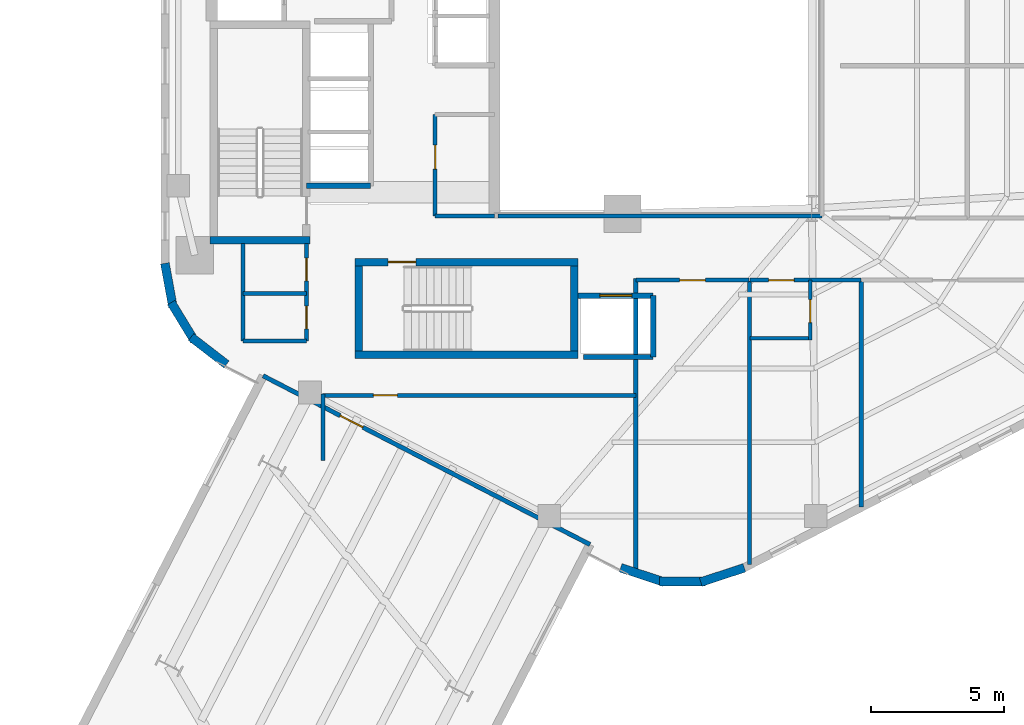
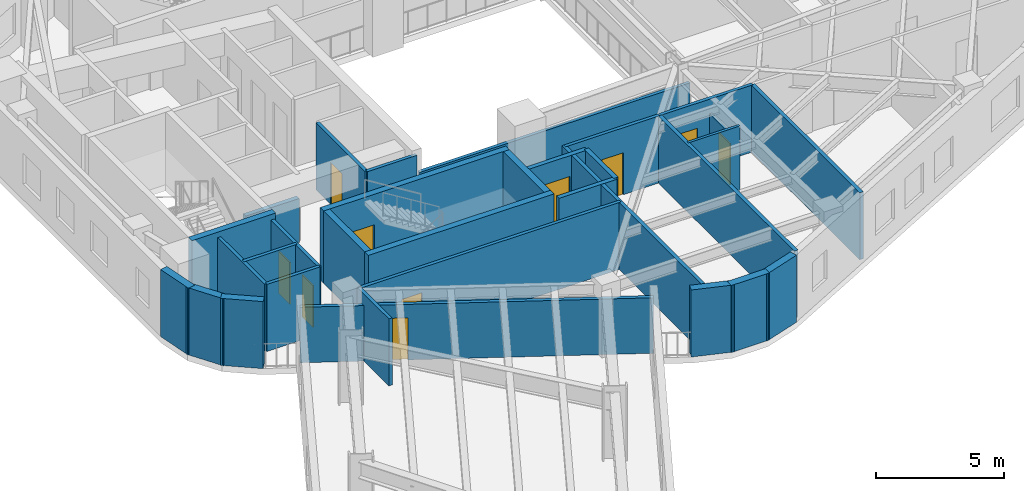
# One storey, part 5 of 10: 32 walls, 10 doors, 10 openings.
"""IFC4 building model written with IfcOpenShell, lengths in metres."""

import ifcopenshell
import ifcopenshell.guid

model = None  # the IFC model being written
_history = None  # IfcOwnerHistory: only IFC2X3 demands one
_inside = {}  # id of a spatial element -> (the spatial element, [elements in it])
_under = {}  # id of a project, library or spatial element -> (it, [spatial elements below it])
_declared = {}  # id of a project -> (the project, [libraries it declares])
_typed = {}  # id of a type object -> (the type object, [elements of that type])
_made_of = {}  # id of a material, layer set ... -> (it, [elements and type objects made of it])


def new_model(schema):
    """Start an empty IFC model of exactly this schema.

    Asked for "IFC4X3", IfcOpenShell would pick the latest addendum, in which some entities
    have other attributes; the version numbers below select the first issue.
    IFC2X3 requires an IfcOwnerHistory on every rooted entity: one is made here for all.
    """
    global model, _history
    if schema == "IFC4X3":
        model = ifcopenshell.file(schema_version=(4, 3, 0, 0))
    else:
        model = ifcopenshell.file(schema=schema)
    _inside.clear()
    _under.clear()
    _declared.clear()
    _typed.clear()
    _made_of.clear()
    _history = None
    if model.schema == "IFC2X3":
        org = make("IfcOrganization", Name="unknown")
        user = make(
            "IfcPersonAndOrganization",
            ThePerson=make("IfcPerson", FamilyName="unknown"),
            TheOrganization=org,
        )
        app = make(
            "IfcApplication",
            ApplicationDeveloper=org,
            Version="unknown",
            ApplicationFullName="unknown",
            ApplicationIdentifier="unknown",
        )
        _history = make(
            "IfcOwnerHistory",
            OwningUser=user,
            OwningApplication=app,
            ChangeAction="ADDED",
            CreationDate=0,
        )
    return model


def make(cls, **values):
    """One entity of the class cls with the attributes given. An attribute that is None is left unset."""
    return model.create_entity(
        cls, **{name: value for name, value in values.items() if value is not None}
    )


def rooted(cls, **values):
    """An entity with a GlobalId (a new one), such as an element, a storey or a relation."""
    return make(cls, GlobalId=ifcopenshell.guid.new(), OwnerHistory=_history, **values)


def si_unit(unit_type, name, prefix=None):
    """IfcSIUnit, for example si_unit("LENGTHUNIT", "METRE", prefix="MILLI")."""
    return make("IfcSIUnit", UnitType=unit_type, Prefix=prefix, Name=name)


def assignment(units):
    """IfcUnitAssignment: the units of a project."""
    return None if units is None else make("IfcUnitAssignment", Units=units)


def point(xyz):
    """IfcCartesianPoint."""
    return None if xyz is None else make("IfcCartesianPoint", Coordinates=xyz)


def direction(xyz):
    """IfcDirection."""
    return None if xyz is None else make("IfcDirection", DirectionRatios=xyz)


def frame(location, z_axis=None, x_axis=None):
    """IfcAxis2Placement3D, a coordinate frame: its origin and axes. An axis left out is left unset."""
    return make(
        "IfcAxis2Placement3D",
        Location=point(location),
        Axis=direction(z_axis),
        RefDirection=direction(x_axis),
    )


def frame_2d(location, x_axis=None):
    """IfcAxis2Placement2D, a coordinate frame in the plane: its origin and x axis."""
    return make(
        "IfcAxis2Placement2D", Location=point(location), RefDirection=direction(x_axis)
    )


def origin():
    """The frame at (0, 0, 0) with its axes left unset."""
    return frame((0.0, 0.0, 0.0))


def place(relative_to, where):
    """IfcLocalPlacement: puts the frame where relative to a parent placement (None: the world)."""
    return make(
        "IfcLocalPlacement", PlacementRelTo=relative_to, RelativePlacement=where
    )


def context(
    kind, dimensions, precision=None, world=None, true_north=None, identifier=None
):
    """IfcGeometricRepresentationContext, for example the 3D "Model" context."""
    return make(
        "IfcGeometricRepresentationContext",
        ContextIdentifier=identifier,
        ContextType=kind,
        CoordinateSpaceDimension=dimensions,
        Precision=precision,
        WorldCoordinateSystem=world,
        TrueNorth=true_north,
    )


def subcontext(parent, identifier, kind, view, scale=None):
    """IfcGeometricRepresentationSubContext, for example "Body" below "Model"."""
    return make(
        "IfcGeometricRepresentationSubContext",
        ContextIdentifier=identifier,
        ContextType=kind,
        ParentContext=parent,
        TargetScale=scale,
        TargetView=view,
    )


def project(units=None, contexts=None):
    """IfcProject with its units and contexts."""
    return rooted(
        "IfcProject",
        Name="project",
        RepresentationContexts=contexts,
        UnitsInContext=assignment(units),
    )


def spatial(cls, under=None, at=None, **own):
    """A site, building, storey or space (cls), placed at a placement, below another one or the project."""
    s = rooted(cls, ObjectPlacement=at, **own)
    if under is not None:
        _under.setdefault(under.id(), (under, []))[1].append(s)
    return s


def profile(cls, at=None, kind="AREA", **sizes):
    """A parametric profile (cls). Its sizes go by their IFC names, for example OverallWidth=200.0."""
    return make(cls, ProfileType=kind, Position=at, **sizes)


def rectangle(**sizes):
    """IfcRectangleProfileDef."""
    return profile("IfcRectangleProfileDef", **sizes)


def extrude(swept, where, along, depth):
    """IfcExtrudedAreaSolid: the profile swept, set in the frame where, extruded along a direction by depth."""
    return make(
        "IfcExtrudedAreaSolid",
        SweptArea=swept,
        Position=where,
        ExtrudedDirection=direction(along),
        Depth=depth,
    )


def shape(context_of_items, identifier, shape_type, items):
    """IfcShapeRepresentation: the items that make up one representation, for example the "Body"."""
    return make(
        "IfcShapeRepresentation",
        ContextOfItems=context_of_items,
        RepresentationIdentifier=identifier,
        RepresentationType=shape_type,
        Items=items,
    )


def material(Name=None, Category=None):
    """IfcMaterial."""
    return make("IfcMaterial", Name=Name, Category=Category)


def layer(
    of_material, thickness, ventilated=None, Name=None, Category=None, Priority=None
):
    """IfcMaterialLayer: one layer of a wall or slab, of a material (None: an air gap)."""
    return make(
        "IfcMaterialLayer",
        Material=of_material,
        LayerThickness=thickness,
        IsVentilated=ventilated,
        Name=Name,
        Category=Category,
        Priority=Priority,
    )


def layer_set(layers, Name=None):
    """IfcMaterialLayerSet."""
    return make("IfcMaterialLayerSet", MaterialLayers=layers, LayerSetName=Name)


def made_of(thing, what):
    """Note that an element or type object is made of a material, layer set ...; save() writes the relation."""
    if what is not None:
        _made_of.setdefault(what.id(), (what, []))[1].append(thing)
    return thing


def type_object(cls, material=None, **own):
    """A type object (cls), such as IfcWallType, which elements share."""
    return made_of(rooted(cls, **own), material)


def element(
    cls,
    number,
    at=None,
    inside=None,
    cuts=None,
    type_object=None,
    material=None,
    context=None,
    identifier="Body",
    shape_type=None,
    held_by="IfcProductDefinitionShape",
    body=None,
    shapes=None,
    **own,
):
    """One element of the class cls, such as IfcWall. Its Tag is "e" and its number.

    at: its placement. inside: the storey or other place that contains it. cuts: it is an
    opening in that element (IfcRelVoidsElement). A single representation is given by context,
    identifier, shape_type and body (its items); several are given by shapes. held_by: the class
    of the entity that holds the representations. save() writes the other relations.
    """
    e = rooted(cls, Tag="e%d" % number, ObjectPlacement=at, **own)
    if body is not None:
        shapes = [shape(context, identifier, shape_type, body)]
    if shapes is not None:
        e.Representation = make(held_by, Representations=shapes)
    if inside is not None:
        _inside.setdefault(inside.id(), (inside, []))[1].append(e)
    if cuts is not None:
        rooted(
            "IfcRelVoidsElement", RelatingBuildingElement=cuts, RelatedOpeningElement=e
        )
    if type_object is not None:
        _typed.setdefault(type_object.id(), (type_object, []))[1].append(e)
    return made_of(e, material)


def fill(opening, filler):
    """IfcRelFillsElement: the door or window that sits in an opening."""
    return rooted(
        "IfcRelFillsElement",
        RelatingOpeningElement=opening,
        RelatedBuildingElement=filler,
    )


def aggregate(whole, parts):
    """IfcRelAggregates: a whole, such as a stair, and the parts it consists of."""
    return rooted("IfcRelAggregates", RelatingObject=whole, RelatedObjects=parts)


def save(model, path):
    """Write the relations noted so far, then the file.

    IfcRelAggregates (storeys below a building ...), IfcRelContainedInSpatialStructure (elements
    in a storey), IfcRelDefinesByType, IfcRelAssociatesMaterial and IfcRelDeclares: one each for
    every whole, place, type object, material and project.
    """
    for whole, parts in _under.values():
        aggregate(whole, parts)
    for where, things in _inside.values():
        rooted(
            "IfcRelContainedInSpatialStructure",
            RelatedElements=things,
            RelatingStructure=where,
        )
    for kind, things in _typed.values():
        rooted("IfcRelDefinesByType", RelatedObjects=things, RelatingType=kind)
    for what, things in _made_of.values():
        rooted("IfcRelAssociatesMaterial", RelatedObjects=things, RelatingMaterial=what)
    for by, libraries in _declared.values():
        rooted("IfcRelDeclares", RelatingContext=by, RelatedDefinitions=libraries)
    model.write(path)


model = new_model("IFC4")

# Units and contexts
model_context = context("Model", 3, precision=1e-05, world=origin(), true_north=direction((0.0, 1.0)))
body_context = subcontext(model_context, "Body", "Model", "MODEL_VIEW")
ifc_project = project(units=[si_unit("LENGTHUNIT", "METRE"), si_unit("AREAUNIT", "SQUARE_METRE"), si_unit("VOLUMEUNIT", "CUBIC_METRE"), si_unit("PLANEANGLEUNIT", "RADIAN"), si_unit("MASSUNIT", "GRAM", prefix="KILO"), si_unit("THERMODYNAMICTEMPERATUREUNIT", "KELVIN"), si_unit("POWERUNIT", "WATT")], contexts=[model_context])

# Site, building, storey
site_placement = place(None, origin())
site = spatial("IfcSite", under=ifc_project, at=site_placement, CompositionType="ELEMENT")
building_placement = place(site_placement, origin())
building = spatial("IfcBuilding", under=site, at=building_placement, Name="Skarre Station Tower", CompositionType="ELEMENT")
storey_placement = place(building_placement, frame((0.0, 0.0, 180.89990234375)))
storey = spatial("IfcBuildingStorey", under=building, at=storey_placement, Name="L49", CompositionType="ELEMENT", Elevation=180.89990234375)

# Wall, opening, door
ifc_material_1 = material(Name="Acoustic Steel-Stud Gypsum Partition", Category="steel")
ifc_layer_1 = layer(ifc_material_1, 0.14990234375, Name="Acoustic Steel-Stud Gypsum Partition")
ifc_layer_set_1 = layer_set([ifc_layer_1], Name="Acoustic Steel-Stud Gypsum Partition")
wall_type_1 = type_object("IfcWallType", Name="Fire-Rated Corridor Acoustic Partition 150", PredefinedType="PARTITIONING", material=ifc_layer_set_1)
wall_1_placement = place(storey_placement, frame((25.320068359375, 22.179931640625, 0.0), z_axis=(0.0, 0.0, 1.0), x_axis=(0.0, -1.0, 0.0)))
wall_1 = element("IfcWall", 1, at=wall_1_placement, inside=storey, type_object=wall_type_1, Name="L49 Interior Partition WL-PT-L49-RC1-W", PredefinedType="PARTITIONING", context=body_context, shape_type="SweptSolid", body=[
    extrude(rectangle(XDim=3.81982421875, YDim=0.14990234375, at=frame_2d((1.909912109375, 0.0))), origin(), (0.0, 0.0, 1.0), 3.190185546875),
])
opening_1_placement = place(wall_1_placement, frame((1.14990234375, 0.0, 0.0)))
opening_1 = element("IfcOpeningElement", 2, at=opening_1_placement, cuts=wall_1, Name="Opening DR-SVC90", PredefinedType="OPENING", context=body_context, shape_type="SweptSolid", body=[
    extrude(rectangle(XDim=0.89990234375, YDim=2.0, at=frame_2d((0.449951171875, 1.0))), frame((0.0, 0.0849609375, 0.0), z_axis=(0.0, -1.0, 0.0), x_axis=(1.0, 0.0, 0.0)), (0.0, 0.0, 1.0), 0.169921875),
])
ifc_material_2 = material(Name="Powder-Coated Hollow-Metal Acoustic Fire Leaf", Category="steel")
door_type_1 = type_object("IfcDoorType", Name="Service & Riser Fire Door FD60 900x2100", OperationType="SINGLE_SWING_LEFT", PredefinedType="DOOR", material=ifc_material_2)
door_1_placement = place(opening_1_placement, origin())
door_1 = element("IfcDoor", 3, at=door_1_placement, inside=storey, type_object=door_type_1, Name="L49 Staff Pantry Door", OperationType="SINGLE_SWING_LEFT", OverallHeight=2.0, OverallWidth=0.89990234375, PredefinedType="DOOR", context=body_context, shape_type="SweptSolid", body=[
    extrude(rectangle(XDim=0.89990234375, YDim=2.0, at=frame_2d((0.449951171875, 1.0))), frame((0.0, 0.02490234375, 0.0), z_axis=(0.0, -1.0, 0.0), x_axis=(1.0, 0.0, 0.0)), (0.0, 0.0, 1.0), 0.050048828125),
])
fill(opening_1, door_1)

# Walls
wall_2_placement = place(storey_placement, frame((25.320068359375, 18.360107421875, 0.0), z_axis=(0.0, 0.0, 1.0), x_axis=(1.0, 0.0, 0.0)))
element("IfcWall", 4, at=wall_2_placement, inside=storey, type_object=wall_type_1, Name="L49 Interior Partition WL-PT-L49-RC1-S", PredefinedType="PARTITIONING", context=body_context, shape_type="SweptSolid", body=[
    extrude(rectangle(XDim=2.22998046875, YDim=0.14990234375, at=frame_2d((1.114990234375, 0.0))), origin(), (0.0, 0.0, 1.0), 3.190185546875),
])
wall_3_placement = place(storey_placement, frame((18.10009765625, 17.340087890625, 0.0), z_axis=(0.0, 0.0, 1.0), x_axis=(0.0, -1.0, 0.0)))
element("IfcWall", 5, at=wall_3_placement, inside=storey, type_object=wall_type_1, Name="L49 Interior Partition WL-PT-L49-CSVC-W", PredefinedType="PARTITIONING", context=body_context, shape_type="SweptSolid", body=[
    extrude(rectangle(XDim=3.66015625, YDim=0.14990234375, at=frame_2d((1.830078125, 0.0))), origin(), (0.0, 0.0, 1.0), 3.190185546875),
])
for number, where, z_axis, x_axis, name in (
    (6, (18.10009765625, 13.679931640625, 0.0), (0.0, 0.0, 1.0), (1.0, 0.0, 0.0), "L49 Interior Partition WL-PT-L49-CSVC-S"),
    (7, (18.10009765625, 15.4599609375, 0.0), (0.0, 0.0, 1.0), (1.0, 0.0, 0.0), "L49 Interior Partition WL-PT-L49-CSVC-M"),
):
    element("IfcWall", number, at=place(storey_placement, frame(where, z_axis=z_axis, x_axis=x_axis)), inside=storey, type_object=wall_type_1, Name=name, PredefinedType="PARTITIONING", context=body_context, shape_type="SweptSolid", body=[
        extrude(rectangle(XDim=2.389892578125, YDim=0.14990234375, at=frame_2d((1.19482421875, 0.0))), origin(), (0.0, 0.0, 1.0), 3.190185546875),
    ])

# Wall, openings, doors
wall_4_placement = place(storey_placement, frame((20.489990234375, 13.679931640625, 0.0), z_axis=(0.0, 0.0, 1.0), x_axis=(0.0, 1.0, 0.0)))
wall_4 = element("IfcWall", 8, at=wall_4_placement, inside=storey, type_object=wall_type_1, Name="L49 Interior Partition WL-PT-L49-CSVC-E", PredefinedType="PARTITIONING", context=body_context, shape_type="SweptSolid", body=[
    extrude(rectangle(XDim=3.66015625, YDim=0.14990234375, at=frame_2d((1.830078125, 0.0))), origin(), (0.0, 0.0, 1.0), 3.190185546875),
])
opening_2_placement = place(wall_4_placement, frame((0.449951171875, 0.0, 0.0)))
opening_2 = element("IfcOpeningElement", 9, at=opening_2_placement, cuts=wall_4, Name="Opening DR-SVC86", PredefinedType="OPENING", context=body_context, shape_type="SweptSolid", body=[
    extrude(rectangle(XDim=0.860107421875, YDim=2.0, at=frame_2d((0.43017578125, 1.0))), frame((0.0, 0.0849609375, 0.0), z_axis=(0.0, -1.0, 0.0), x_axis=(1.0, 0.0, 0.0)), (0.0, 0.0, 1.0), 0.169921875),
])
opening_3_placement = place(wall_4_placement, frame((2.25, 0.0, 0.0)))
opening_3 = element("IfcOpeningElement", 10, at=opening_3_placement, cuts=wall_4, Name="Opening DR-SVC86", PredefinedType="OPENING", context=body_context, shape_type="SweptSolid", body=[
    extrude(rectangle(XDim=0.860107421875, YDim=2.0, at=frame_2d((0.43017578125, 1.0))), frame((0.0, 0.0849609375, 0.0), z_axis=(0.0, -1.0, 0.0), x_axis=(1.0, 0.0, 0.0)), (0.0, 0.0, 1.0), 0.169921875),
])
door_type_2 = type_object("IfcDoorType", Name="Compact Riser Fire Door FD60 860x2100", OperationType="SINGLE_SWING_LEFT", PredefinedType="DOOR", material=ifc_material_2)
door_2_placement = place(opening_2_placement, origin())
door_2 = element("IfcDoor", 11, at=door_2_placement, inside=storey, type_object=door_type_2, Name="L49 Vending Room Door", OperationType="SINGLE_SWING_LEFT", OverallHeight=2.0, OverallWidth=0.860107421875, PredefinedType="DOOR", context=body_context, shape_type="SweptSolid", body=[
    extrude(rectangle(XDim=0.860107421875, YDim=2.0, at=frame_2d((0.43017578125, 1.0))), frame((0.0, 0.02490234375, 0.0), z_axis=(0.0, -1.0, 0.0), x_axis=(1.0, 0.0, 0.0)), (0.0, 0.0, 1.0), 0.050048828125),
])
fill(opening_2, door_2)
door_3_placement = place(opening_3_placement, origin())
door_3 = element("IfcDoor", 12, at=door_3_placement, inside=storey, type_object=door_type_2, Name="L49 Linen Storage Door", OperationType="SINGLE_SWING_LEFT", OverallHeight=2.0, OverallWidth=0.860107421875, PredefinedType="DOOR", context=body_context, shape_type="SweptSolid", body=[
    extrude(rectangle(XDim=0.860107421875, YDim=2.0, at=frame_2d((0.43017578125, 1.0))), frame((0.0, 0.02490234375, 0.0), z_axis=(0.0, -1.0, 0.0), x_axis=(1.0, 0.0, 0.0)), (0.0, 0.0, 1.0), 0.050048828125),
])
fill(opening_3, door_3)

# Walls
wall_5_placement = place(storey_placement, frame((27.675048828125, 18.360107421875, 0.0), z_axis=(0.0, 0.0, 1.0), x_axis=(1.0, 0.0, 0.0)))
element("IfcWall", 13, at=wall_5_placement, inside=storey, type_object=wall_type_1, Name="L49 Interior Partition WL-PT-L49-ATRW-S", PredefinedType="PARTITIONING", context=body_context, shape_type="SweptSolid", body=[
    extrude(rectangle(XDim=12.1650390625, YDim=0.14990234375, at=frame_2d((6.08251953125, 0.0))), origin(), (0.0, 0.0, 1.0), 2.3310546875),
])
wall_6_placement = place(storey_placement, frame((21.1201171875, 9.199951171875, 0.0), z_axis=(0.0, 0.0, 1.0), x_axis=(0.0, 1.0, 0.0)))
element("IfcWall", 14, at=wall_6_placement, inside=storey, type_object=wall_type_1, Name="L49 Interior Partition WL-PT-L49-SWP-W4", PredefinedType="PARTITIONING", context=body_context, shape_type="SweptSolid", body=[
    extrude(rectangle(XDim=2.47998046875, YDim=0.14990234375, at=frame_2d((1.239990234375, 0.0))), origin(), (0.0, 0.0, 1.0), 3.190185546875),
])

# Wall, opening, door
wall_7_placement = place(storey_placement, frame((21.10009765625, 11.639892578125, 0.0), z_axis=(0.0, 0.0, 1.0), x_axis=(1.0, 0.0, 0.0)))
wall_7 = element("IfcWall", 15, at=wall_7_placement, inside=storey, type_object=wall_type_1, Name="L49 Interior Partition WL-PT-L49-SWP-N", PredefinedType="PARTITIONING", context=body_context, shape_type="SweptSolid", body=[
    extrude(rectangle(XDim=11.75, YDim=0.14990234375, at=frame_2d((5.875, 0.0))), origin(), (0.0, 0.0, 1.0), 3.190185546875),
])
opening_4_placement = place(wall_7_placement, frame((1.89990234375, 0.0, 0.0)))
opening_4 = element("IfcOpeningElement", 16, at=opening_4_placement, cuts=wall_7, Name="Opening DR-SVC90", PredefinedType="OPENING", context=body_context, shape_type="SweptSolid", body=[
    extrude(rectangle(XDim=0.89990234375, YDim=2.0, at=frame_2d((0.449951171875, 1.0))), frame((0.0, 0.0849609375, 0.0), z_axis=(0.0, -1.0, 0.0), x_axis=(1.0, 0.0, 0.0)), (0.0, 0.0, 1.0), 0.169921875),
])
door_4_placement = place(opening_4_placement, origin())
door_4 = element("IfcDoor", 17, at=door_4_placement, inside=storey, type_object=door_type_1, Name="L49 Floor Public Toilets Door", OperationType="SINGLE_SWING_LEFT", OverallHeight=2.0, OverallWidth=0.89990234375, PredefinedType="DOOR", context=body_context, shape_type="SweptSolid", body=[
    extrude(rectangle(XDim=0.89990234375, YDim=2.0, at=frame_2d((0.449951171875, 1.0))), frame((0.0, 0.02490234375, 0.0), z_axis=(0.0, -1.0, 0.0), x_axis=(1.0, 0.0, 0.0)), (0.0, 0.0, 1.0), 0.050048828125),
])
fill(opening_4, door_4)

wall_8_placement = place(storey_placement, frame((32.85009765625, 15.9599609375, 0.0), z_axis=(0.0, 0.0, 1.0), x_axis=(1.0, 0.0, 0.0)))
wall_8 = element("IfcWall", 18, at=wall_8_placement, inside=storey, type_object=wall_type_1, Name="L49 Interior Partition WL-PT-L49-SW1-CW", PredefinedType="PARTITIONING", context=body_context, shape_type="SweptSolid", body=[
    extrude(rectangle(XDim=4.244873046875, YDim=0.14990234375, at=frame_2d((2.12255859375, 0.0))), origin(), (0.0, 0.0, 1.0), 3.190185546875),
])
opening_5_placement = place(wall_8_placement, frame((1.64306640625, 0.0, 0.0)))
opening_5 = element("IfcOpeningElement", 19, at=opening_5_placement, cuts=wall_8, Name="Opening DR-FD60", PredefinedType="OPENING", context=body_context, shape_type="SweptSolid", body=[
    extrude(rectangle(XDim=0.9599609375, YDim=2.0, at=frame_2d((0.47998046875, 1.0))), frame((0.0, 0.0849609375, 0.0), z_axis=(0.0, -1.0, 0.0), x_axis=(1.0, 0.0, 0.0)), (0.0, 0.0, 1.0), 0.169921875),
])
ifc_material_3 = material(Name="Nordic White-Oak Veneer Solid-Core Fire Leaf", Category="wood")
door_type_3 = type_object("IfcDoorType", Name="Corridor Suite Entry Fire Door FD60 960x2150", OperationType="SINGLE_SWING_LEFT", PredefinedType="DOOR", material=ifc_material_3)
door_5_placement = place(opening_5_placement, origin())
door_5 = element("IfcDoor", 20, at=door_5_placement, inside=storey, type_object=door_type_3, Name="L49 SW1 Entry Door", OperationType="SINGLE_SWING_LEFT", OverallHeight=2.0, OverallWidth=0.9599609375, PredefinedType="DOOR", context=body_context, shape_type="SweptSolid", body=[
    extrude(rectangle(XDim=0.9599609375, YDim=2.0, at=frame_2d((0.47998046875, 1.0))), frame((0.0, 0.02490234375, 0.0), z_axis=(0.0, -1.0, 0.0), x_axis=(1.0, 0.0, 0.0)), (0.0, 0.0, 1.0), 0.050048828125),
])
fill(opening_5, door_5)

wall_9_placement = place(storey_placement, frame((37.131103515625, 15.9599609375, 0.0), z_axis=(0.0, 0.0, 1.0), x_axis=(1.0, 0.0, 0.0)))
wall_9 = element("IfcWall", 21, at=wall_9_placement, inside=storey, type_object=wall_type_1, Name="L49 Interior Partition WL-PT-L49-SW2-CW", PredefinedType="PARTITIONING", context=body_context, shape_type="SweptSolid", body=[
    extrude(rectangle(XDim=4.156005859375, YDim=0.14990234375, at=frame_2d((2.078125, 0.0))), origin(), (0.0, 0.0, 1.0), 3.190185546875),
])
opening_6_placement = place(wall_9_placement, frame((0.697998046875, 0.0, 0.0)))
opening_6 = element("IfcOpeningElement", 22, at=opening_6_placement, cuts=wall_9, Name="Opening DR-FD60", PredefinedType="OPENING", context=body_context, shape_type="SweptSolid", body=[
    extrude(rectangle(XDim=0.9599609375, YDim=2.0, at=frame_2d((0.47998046875, 1.0))), frame((0.0, 0.0849609375, 0.0), z_axis=(0.0, -1.0, 0.0), x_axis=(1.0, 0.0, 0.0)), (0.0, 0.0, 1.0), 0.169921875),
])
door_6_placement = place(opening_6_placement, origin())
door_6 = element("IfcDoor", 23, at=door_6_placement, inside=storey, type_object=door_type_3, Name="L49 SW2 Entry Door", OperationType="SINGLE_SWING_LEFT", OverallHeight=2.0, OverallWidth=0.9599609375, PredefinedType="DOOR", context=body_context, shape_type="SweptSolid", body=[
    extrude(rectangle(XDim=0.9599609375, YDim=2.0, at=frame_2d((0.47998046875, 1.0))), frame((0.0, 0.02490234375, 0.0), z_axis=(0.0, -1.0, 0.0), x_axis=(1.0, 0.0, 0.0)), (0.0, 0.0, 1.0), 0.050048828125),
])
fill(opening_6, door_6)

ifc_material_4 = material(Name="Insulated Timber-Stud Gypsum Partition", Category="wood")
ifc_layer_2 = layer(ifc_material_4, 0.1201171875, Name="Insulated Timber-Stud Gypsum Partition")
ifc_layer_set_2 = layer_set([ifc_layer_2], Name="Insulated Timber-Stud Gypsum Partition")
wall_type_2 = type_object("IfcWallType", Name="Internal Suite Acoustic Partition 120", PredefinedType="PARTITIONING", material=ifc_layer_set_2)
wall_10_placement = place(storey_placement, frame((39.39111328125, 13.719970703125, 0.0), z_axis=(0.0, 0.0, 1.0), x_axis=(0.0, 1.0, 0.0)))
wall_10 = element("IfcWall", 24, at=wall_10_placement, inside=storey, type_object=wall_type_2, Name="L49 Interior Partition WL-PT-L49-SW2-EW2", PredefinedType="PARTITIONING", context=body_context, shape_type="SweptSolid", body=[
    extrude(rectangle(XDim=2.239990234375, YDim=0.1201171875, at=frame_2d((1.1201171875, 0.0))), origin(), (0.0, 0.0, 1.0), 2.4970703125),
])
opening_7_placement = place(wall_10_placement, frame((0.64990234375, 0.0, 0.0)))
opening_7 = element("IfcOpeningElement", 25, at=opening_7_placement, cuts=wall_10, Name="Opening DR-INT86", PredefinedType="OPENING", context=body_context, shape_type="SweptSolid", body=[
    extrude(rectangle(XDim=0.860107421875, YDim=2.0, at=frame_2d((0.43017578125, 1.0))), frame((0.0, 0.070068359375, 0.0), z_axis=(0.0, -1.0, 0.0), x_axis=(1.0, 0.0, 0.0)), (0.0, 0.0, 1.0), 0.14013671875),
])
ifc_material_5 = material(Name="Nordic Birch Acoustic Solid-Core Timber Leaf", Category="wood")
door_type_4 = type_object("IfcDoorType", Name="Internal En-Suite & Bedroom Door 860x2100", OperationType="SINGLE_SWING_LEFT", PredefinedType="DOOR", material=ifc_material_5)
door_7_placement = place(opening_7_placement, origin())
door_7 = element("IfcDoor", 26, at=door_7_placement, inside=storey, type_object=door_type_4, Name="L49 SW2 En-suite Door", OperationType="SINGLE_SWING_RIGHT", OverallHeight=2.0, OverallWidth=0.860107421875, PredefinedType="DOOR", context=body_context, shape_type="SweptSolid", body=[
    extrude(rectangle(XDim=0.860107421875, YDim=2.0, at=frame_2d((0.43017578125, 1.0))), frame((0.0, 0.02490234375, 0.0), z_axis=(0.0, -1.0, 0.0), x_axis=(1.0, 0.0, 0.0)), (0.0, 0.0, 1.0), 0.050048828125),
])
fill(opening_7, door_7)

# Walls
wall_11_placement = place(storey_placement, frame((37.131103515625, 13.780029296875, 0.0), z_axis=(0.0, 0.0, 1.0), x_axis=(1.0, 0.0, 0.0)))
element("IfcWall", 27, at=wall_11_placement, inside=storey, type_object=wall_type_2, Name="L49 Interior Partition WL-PT-L49-SW2-EW1", PredefinedType="PARTITIONING", context=body_context, shape_type="SweptSolid", body=[
    extrude(rectangle(XDim=2.31982421875, YDim=0.1201171875, at=frame_2d((1.159912109375, 0.0))), origin(), (0.0, 0.0, 1.0), 3.190185546875),
])
ifc_material_6 = material(Name="Precast concrete C45/55", Category="concrete")
ifc_layer_3 = layer(ifc_material_6, 0.330078125, Name="Precast concrete C45/55")
ifc_layer_set_3 = layer_set([ifc_layer_3], Name="Precast concrete C45/55")
wall_type_3 = type_object("IfcWallType", Name="Nordic Rounded Corner Precast Wall 330", PredefinedType="STANDARD", material=ifc_layer_set_3)
wall_12_placement = place(storey_placement, frame((17.489013671875, 12.800048828125, 0.0), z_axis=(0.0, 0.0, 1.0), x_axis=(-0.791409877269, 0.611285862884, 0.0)))
element("IfcWall", 28, at=wall_12_placement, inside=storey, type_object=wall_type_3, Name="L49 Rounded Corner Precast Wall F3-1", PredefinedType="STANDARD", context=body_context, shape_type="SweptSolid", body=[
    extrude(rectangle(XDim=1.676513671875, YDim=0.330078125, at=frame_2d((0.83837890625, 0.0))), origin(), (0.0, 0.0, 1.0), 3.190185546875),
])
wall_13_placement = place(storey_placement, frame((16.2880859375, 13.68505859375, 0.0), z_axis=(0.0, 0.0, 1.0), x_axis=(-0.520325409202, 0.853968072318, 0.0)))
element("IfcWall", 29, at=wall_13_placement, inside=storey, type_object=wall_type_3, Name="L49 Rounded Corner Precast Wall F3-2", PredefinedType="STANDARD", context=body_context, shape_type="SweptSolid", body=[
    extrude(rectangle(XDim=1.677978515625, YDim=0.330078125, at=frame_2d((0.8388671875, 0.0))), origin(), (0.0, 0.0, 1.0), 3.190185546875),
])
wall_14_placement = place(storey_placement, frame((15.48193359375, 14.943115234375, 0.0), z_axis=(0.0, 0.0, 1.0), x_axis=(-0.180717642671, 0.983535019014, 0.0)))
element("IfcWall", 30, at=wall_14_placement, inside=storey, type_object=wall_type_3, Name="L49 Rounded Corner Precast Wall F3-3", PredefinedType="STANDARD", context=body_context, shape_type="SweptSolid", body=[
    extrude(rectangle(XDim=1.676513671875, YDim=0.330078125, at=frame_2d((0.83837890625, 0.0))), origin(), (0.0, 0.0, 1.0), 3.190185546875),
])
wall_15_placement = place(storey_placement, frame((36.9189453125, 5.16796875, 0.0), z_axis=(0.0, 0.0, 1.0), x_axis=(-0.949937416267, -0.312440242569, 0.0)))
element("IfcWall", 31, at=wall_15_placement, inside=storey, type_object=wall_type_3, Name="L49 Rounded Corner Precast Wall F4-1", PredefinedType="STANDARD", context=body_context, shape_type="SweptSolid", body=[
    extrude(rectangle(XDim=1.72216796875, YDim=0.330078125, at=frame_2d((0.861083984375, 0.0))), origin(), (0.0, 0.0, 1.0), 3.190185546875),
])
wall_16_placement = place(storey_placement, frame((35.4609375, 4.658935546875, 0.0), z_axis=(0.0, 0.0, 1.0), x_axis=(-1.0, 0.0, 0.0)))
element("IfcWall", 32, at=wall_16_placement, inside=storey, type_object=wall_type_3, Name="L49 Rounded Corner Precast Wall F4-2", PredefinedType="STANDARD", context=body_context, shape_type="SweptSolid", body=[
    extrude(rectangle(XDim=1.721923828125, YDim=0.330078125, at=frame_2d((0.86083984375, 0.0))), origin(), (0.0, 0.0, 1.0), 3.190185546875),
])
wall_17_placement = place(storey_placement, frame((33.9169921875, 4.6298828125, 0.0), z_axis=(0.0, 0.0, 1.0), x_axis=(-0.949937416267, 0.312440242569, 0.0)))
element("IfcWall", 33, at=wall_17_placement, inside=storey, type_object=wall_type_3, Name="L49 Rounded Corner Precast Wall F4-3", PredefinedType="STANDARD", context=body_context, shape_type="SweptSolid", body=[
    extrude(rectangle(XDim=1.72216796875, YDim=0.330078125, at=frame_2d((0.861083984375, 0.0))), origin(), (0.0, 0.0, 1.0), 3.190185546875),
])
ifc_material_7 = material(Name="Concrete C50/60", Category="concrete")
ifc_layer_4 = layer(ifc_material_7, 0.280029296875, Name="Concrete C50/60")
ifc_layer_set_4 = layer_set([ifc_layer_4], Name="Concrete C50/60")
wall_type_4 = type_object("IfcWallType", Name="RC Core Shear Wall 280", PredefinedType="SHEAR", material=ifc_layer_set_4)
wall_18_placement = place(storey_placement, frame((16.8701171875, 17.4599609375, 0.0), z_axis=(0.0, 0.0, 1.0), x_axis=(1.0, 0.0, 0.0)))
element("IfcWall", 34, at=wall_18_placement, inside=storey, type_object=wall_type_4, Name="L49 Stair ST-1 South Shear Wall", PredefinedType="SHEAR", context=body_context, shape_type="SweptSolid", body=[
    extrude(rectangle(XDim=3.759765625, YDim=0.280029296875, at=frame_2d((1.8798828125, 0.0))), origin(), (0.0, 0.0, 1.0), 3.4501953125),
])
wall_19_placement = place(storey_placement, frame((22.320068359375, 13.159912109375, 0.0), z_axis=(0.0, 0.0, 1.0), x_axis=(1.0, 0.0, 0.0)))
element("IfcWall", 35, at=wall_19_placement, inside=storey, type_object=wall_type_4, Name="L49 Stair ST-2 South Shear Wall", PredefinedType="SHEAR", context=body_context, shape_type="SweptSolid", body=[
    extrude(rectangle(XDim=8.35986328125, YDim=0.280029296875, at=frame_2d((4.179931640625, 0.0))), origin(), (0.0, 0.0, 1.0), 3.4501953125),
])

# Wall, opening, door
wall_20_placement = place(storey_placement, frame((30.679931640625, 16.639892578125, 0.0), z_axis=(0.0, 0.0, 1.0), x_axis=(-1.0, 0.0, 0.0)))
wall_20 = element("IfcWall", 36, at=wall_20_placement, inside=storey, type_object=wall_type_4, Name="L49 Stair ST-2 North Shear Wall", PredefinedType="SHEAR", context=body_context, shape_type="SweptSolid", body=[
    extrude(rectangle(XDim=8.35986328125, YDim=0.280029296875, at=frame_2d((4.179931640625, 0.0))), origin(), (0.0, 0.0, 1.0), 3.4501953125),
])
opening_8_placement = place(wall_20_placement, frame((6.080078125, 0.0, 0.0)))
opening_8 = element("IfcOpeningElement", 37, at=opening_8_placement, cuts=wall_20, Name="Opening DR-FD90", PredefinedType="OPENING", context=body_context, shape_type="SweptSolid", body=[
    extrude(rectangle(XDim=1.050048828125, YDim=2.0, at=frame_2d((0.52490234375, 1.0))), frame((0.0, 0.14990234375, 0.0), z_axis=(0.0, -1.0, 0.0), x_axis=(1.0, 0.0, 0.0)), (0.0, 0.0, 1.0), 0.300048828125),
])
ifc_material_8 = material(Name="Fire-Rated Insulated Steel Frame & Timber Core Leaf", Category="steel")
door_type_5 = type_object("IfcDoorType", Name="Stair & FSAE Lobby Fire Door FD90 1050x2150", OperationType="SINGLE_SWING_RIGHT", PredefinedType="DOOR", material=ifc_material_8)
door_8_placement = place(opening_8_placement, origin())
door_8 = element("IfcDoor", 38, at=door_8_placement, inside=storey, type_object=door_type_5, Name="L49 Stair ST-2 Exit Door", OperationType="SINGLE_SWING_RIGHT", OverallHeight=2.0, OverallWidth=1.050048828125, PredefinedType="DOOR", context=body_context, shape_type="SweptSolid", body=[
    extrude(rectangle(XDim=1.050048828125, YDim=2.0, at=frame_2d((0.52490234375, 1.0))), frame((0.0, 0.02490234375, 0.0), z_axis=(0.0, -1.0, 0.0), x_axis=(1.0, 0.0, 0.0)), (0.0, 0.0, 1.0), 0.050048828125),
])
fill(opening_8, door_8)

# Walls
for number, where, z_axis, x_axis, name in (
    (39, (22.4599609375, 16.5, 0.0), (0.0, 0.0, 1.0), (0.0, -1.0, 0.0), "L49 Stair ST-2 West Shear Wall"),
    (40, (30.5400390625, 13.300048828125, 0.0), (0.0, 0.0, 1.0), (0.0, 1.0, 0.0), "L49 Stair ST-2 East Shear Wall"),
):
    element("IfcWall", number, at=place(storey_placement, frame(where, z_axis=z_axis, x_axis=x_axis)), inside=storey, type_object=wall_type_4, Name=name, PredefinedType="SHEAR", context=body_context, shape_type="SweptSolid", body=[
        extrude(rectangle(XDim=3.199951171875, YDim=0.280029296875, at=frame_2d((1.60009765625, 0.0))), origin(), (0.0, 0.0, 1.0), 3.4501953125),
    ])

# Wall, opening, door
ifc_material_9 = material(Name="Gypsum Concrete Shaft Assembly C30/37", Category="concrete")
ifc_layer_5 = layer(ifc_material_9, 0.199951171875, Name="Gypsum Concrete Shaft Assembly C30/37")
ifc_layer_set_5 = layer_set([ifc_layer_5], Name="Gypsum Concrete Shaft Assembly C30/37")
wall_type_5 = type_object("IfcWallType", Name="Shaft & Core Fire Partition 200", PredefinedType="PARTITIONING", material=ifc_layer_set_5)
wall_21_placement = place(storey_placement, frame((33.5, 15.3798828125, 0.0), z_axis=(0.0, 0.0, 1.0), x_axis=(-1.0, 0.0, 0.0)))
wall_21 = element("IfcWall", 41, at=wall_21_placement, inside=storey, type_object=wall_type_5, Name="L49 Interior Partition WL-PT-L49-SV1-N", PredefinedType="PARTITIONING", context=body_context, shape_type="SweptSolid", body=[
    extrude(rectangle(XDim=2.820068359375, YDim=0.199951171875, at=frame_2d((1.41015625, 0.0))), origin(), (0.0, 0.0, 1.0), 3.190185546875),
])
opening_9_placement = place(wall_21_placement, frame((0.800048828125, 0.0, 0.0)))
opening_9 = element("IfcOpeningElement", 42, at=opening_9_placement, cuts=wall_21, Name="Opening LD-SV1", PredefinedType="OPENING", context=body_context, shape_type="SweptSolid", body=[
    extrude(rectangle(XDim=1.199951171875, YDim=2.199951171875, at=frame_2d((0.60009765625, 1.10009765625))), frame((0.0, 0.10986328125, 0.0), z_axis=(0.0, -1.0, 0.0), x_axis=(1.0, 0.0, 0.0)), (0.0, 0.0, 1.0), 0.219970703125),
])
ifc_material_10 = material(Name="Heavy-Gauge Brushed Stainless Steel Sliding Leaves", Category="steel")
door_type_6 = type_object("IfcDoorType", Name="Service Elevator Wide Sliding Landing Door 1200x2200", OperationType="SLIDING_TO_RIGHT", PredefinedType="DOOR", material=ifc_material_10)
door_9_placement = place(opening_9_placement, origin())
door_9 = element("IfcDoor", 43, at=door_9_placement, inside=storey, type_object=door_type_6, Name="L49 Service Lift LF-SV1 Landing Door", OperationType="SLIDING_TO_RIGHT", OverallHeight=2.199951171875, OverallWidth=1.199951171875, PredefinedType="DOOR", context=body_context, shape_type="SweptSolid", body=[
    extrude(rectangle(XDim=1.199951171875, YDim=2.199951171875, at=frame_2d((0.60009765625, 1.10009765625))), frame((0.0, 0.02490234375, 0.0), z_axis=(0.0, -1.0, 0.0), x_axis=(1.0, 0.0, 0.0)), (0.0, 0.0, 1.0), 0.050048828125),
])
fill(opening_9, door_9)

# Walls
wall_22_placement = place(storey_placement, frame((33.5, 13.080078125, 0.0), z_axis=(0.0, 0.0, 1.0), x_axis=(0.0, 1.0, 0.0)))
element("IfcWall", 44, at=wall_22_placement, inside=storey, type_object=wall_type_5, Name="L49 Interior Partition WL-PT-L49-SV1-E", PredefinedType="PARTITIONING", context=body_context, shape_type="SweptSolid", body=[
    extrude(rectangle(XDim=2.2998046875, YDim=0.199951171875, at=frame_2d((1.14990234375, 0.0))), origin(), (0.0, 0.0, 1.0), 3.190185546875),
])
wall_23_placement = place(storey_placement, frame((30.87890625, 13.080078125, 0.0), z_axis=(0.0, 0.0, 1.0), x_axis=(1.0, 0.0, 0.0)))
element("IfcWall", 45, at=wall_23_placement, inside=storey, type_object=wall_type_5, Name="L49 Interior Partition WL-PT-L49-SV1-S", PredefinedType="PARTITIONING", context=body_context, shape_type="SweptSolid", body=[
    extrude(rectangle(XDim=2.62109375, YDim=0.199951171875, at=frame_2d((1.310546875, 0.0))), origin(), (0.0, 0.0, 1.0), 3.190185546875),
])
wall_24_placement = place(storey_placement, frame((20.489990234375, 19.5, 0.0), z_axis=(0.0, 0.0, 1.0), x_axis=(1.0, 0.0, 0.0)))
element("IfcWall", 46, at=wall_24_placement, inside=storey, type_object=wall_type_5, Name="L49 Interior Partition WL-PT-L49-B3-S", PredefinedType="PARTITIONING", context=body_context, shape_type="SweptSolid", body=[
    extrude(rectangle(XDim=2.409912109375, YDim=0.199951171875, at=frame_2d((1.205078125, 0.0))), origin(), (0.0, 0.0, 1.0), 2.090087890625),
])
ifc_layer_6 = layer(ifc_material_1, 0.1650390625, Name="Acoustic Steel-Stud Gypsum Partition")
ifc_layer_set_6 = layer_set([ifc_layer_6], Name="Acoustic Steel-Stud Gypsum Partition")
wall_type_6 = type_object("IfcWallType", Name="Suite Demising Acoustic Partition 165", PredefinedType="PARTITIONING", material=ifc_layer_set_6)
wall_25_placement = place(storey_placement, frame((32.85009765625, 4.97607421875, 0.0), z_axis=(0.0, 0.0, 1.0), x_axis=(0.0, 1.0, 0.0)))
element("IfcWall", 47, at=wall_25_placement, inside=storey, type_object=wall_type_6, Name="L49 Interior Partition WL-PT-L49-SWP-E", PredefinedType="PARTITIONING", context=body_context, shape_type="SweptSolid", body=[
    extrude(rectangle(XDim=11.053955078125, YDim=0.1650390625, at=frame_2d((5.52685546875, 0.0))), origin(), (0.0, 0.0, 1.0), 3.190185546875),
])
wall_26_placement = place(storey_placement, frame((37.113037109375, 5.2880859375, 0.0), z_axis=(0.0, 0.0, 1.0), x_axis=(0.0, 1.0, 0.0)))
element("IfcWall", 48, at=wall_26_placement, inside=storey, type_object=wall_type_6, Name="L49 Interior Partition WL-PT-L49-SW-P1", PredefinedType="PARTITIONING", context=body_context, shape_type="SweptSolid", body=[
    extrude(rectangle(XDim=10.641845703125, YDim=0.1650390625, at=frame_2d((5.32080078125, 0.0))), origin(), (0.0, 0.0, 1.0), 3.190185546875),
])
wall_27_placement = place(storey_placement, frame((41.304931640625, 7.450927734375, 0.0), z_axis=(0.0, 0.0, 1.0), x_axis=(0.0, 1.0, 0.0)))
element("IfcWall", 49, at=wall_27_placement, inside=storey, type_object=wall_type_6, Name="L49 Interior Partition WL-PT-L49-SW-P2", PredefinedType="PARTITIONING", context=body_context, shape_type="SweptSolid", body=[
    extrude(rectangle(XDim=8.47900390625, YDim=0.1650390625, at=frame_2d((4.239501953125, 0.0))), origin(), (0.0, 0.0, 1.0), 3.190185546875),
])

# Wall, opening, door
wall_28_placement = place(storey_placement, frame((18.865966796875, 12.3701171875, 0.0), z_axis=(0.0, 0.0, 1.0), x_axis=(0.888625308836, -0.458633906832, 0.0)))
wall_28 = element("IfcWall", 50, at=wall_28_placement, inside=storey, type_object=wall_type_6, Name="L49 Interior Partition WL-PT-L49-SB-4-ROOT", PredefinedType="PARTITIONING", context=body_context, shape_type="SweptSolid", body=[
    extrude(rectangle(XDim=13.7998046875, YDim=0.1650390625, at=frame_2d((6.89990234375, 0.0))), origin(), (0.0, 0.0, 1.0), 2.64111328125),
])
opening_10_placement = place(wall_28_placement, frame((3.25, 0.0, 0.0)))
opening_10 = element("IfcOpeningElement", 51, at=opening_10_placement, cuts=wall_28, Name="Opening DR-FD60", PredefinedType="OPENING", context=body_context, shape_type="SweptSolid", body=[
    extrude(rectangle(XDim=0.9599609375, YDim=2.0, at=frame_2d((0.47998046875, 1.0))), frame((0.0, 0.092529296875, 0.0), z_axis=(0.0, -1.0, 0.0), x_axis=(1.0, 0.0, 0.0)), (0.0, 0.0, 1.0), 0.18505859375),
])
door_10_placement = place(opening_10_placement, origin())
door_10 = element("IfcDoor", 52, at=door_10_placement, inside=storey, type_object=door_type_3, Name="L49 SB-4 Horizon Salon Door", OperationType="SINGLE_SWING_LEFT", OverallHeight=2.0, OverallWidth=0.9599609375, PredefinedType="DOOR", context=body_context, shape_type="SweptSolid", body=[
    extrude(rectangle(XDim=0.9599609375, YDim=2.0, at=frame_2d((0.47998046875, 1.0))), frame((0.0, 0.02490234375, 0.0), z_axis=(0.0, -1.0, 0.0), x_axis=(1.0, 0.0, 0.0)), (0.0, 0.0, 1.0), 0.050048828125),
])
fill(opening_10, door_10)

save(model, "model.ifc")
